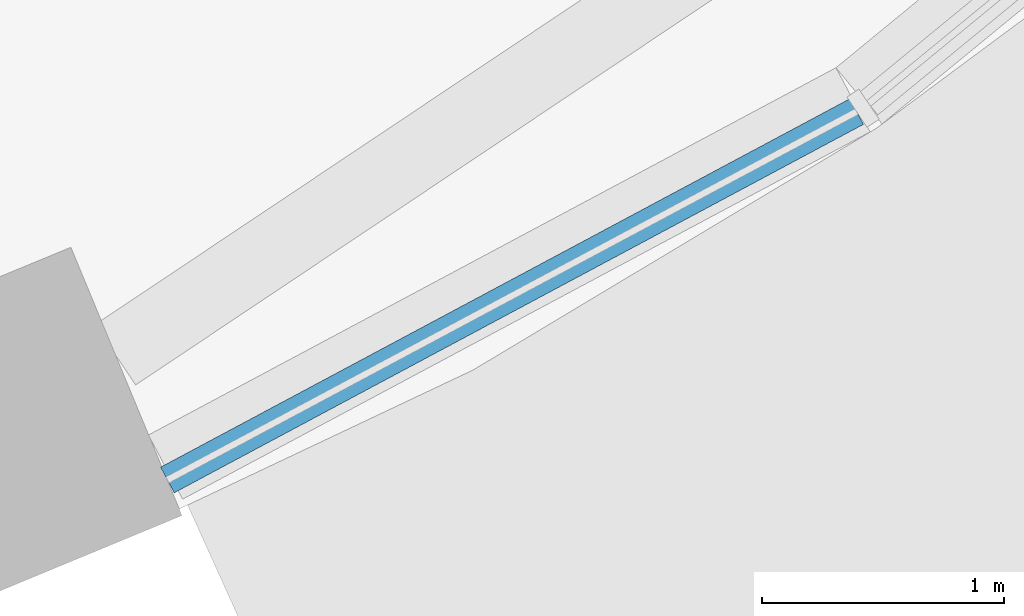
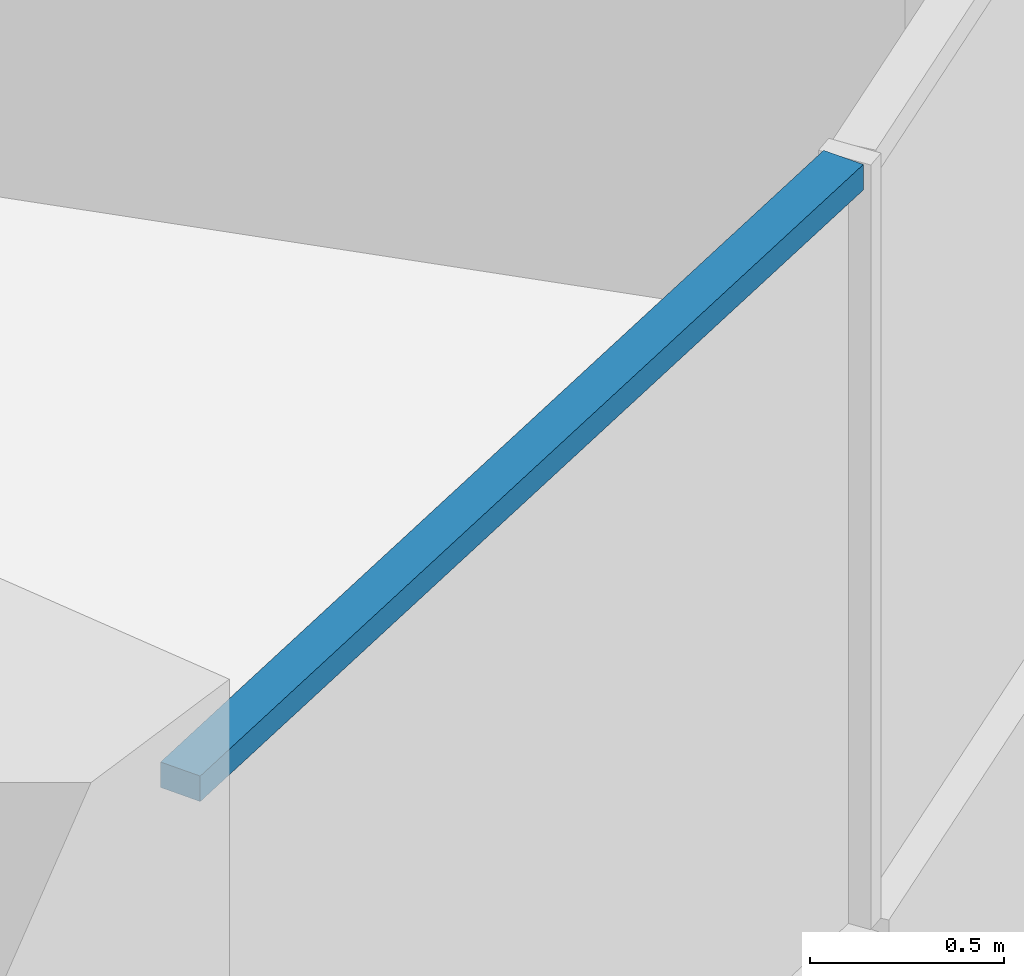
# One storey, part 3 of 15: 1 member, 1 element without a shape of its own.
"""IFC4 building model written with IfcOpenShell, lengths in metres."""

import ifcopenshell
import ifcopenshell.guid

model = None  # the IFC model being written
_history = None  # IfcOwnerHistory: only IFC2X3 demands one
_inside = {}  # id of a spatial element -> (the spatial element, [elements in it])
_under = {}  # id of a project, library or spatial element -> (it, [spatial elements below it])
_declared = {}  # id of a project -> (the project, [libraries it declares])
_typed = {}  # id of a type object -> (the type object, [elements of that type])
_made_of = {}  # id of a material, layer set ... -> (it, [elements and type objects made of it])


def new_model(schema):
    """Start an empty IFC model of exactly this schema.

    Asked for "IFC4X3", IfcOpenShell would pick the latest addendum, in which some entities
    have other attributes; the version numbers below select the first issue.
    IFC2X3 requires an IfcOwnerHistory on every rooted entity: one is made here for all.
    """
    global model, _history
    if schema == "IFC4X3":
        model = ifcopenshell.file(schema_version=(4, 3, 0, 0))
    else:
        model = ifcopenshell.file(schema=schema)
    _inside.clear()
    _under.clear()
    _declared.clear()
    _typed.clear()
    _made_of.clear()
    _history = None
    if model.schema == "IFC2X3":
        org = make("IfcOrganization", Name="unknown")
        user = make(
            "IfcPersonAndOrganization",
            ThePerson=make("IfcPerson", FamilyName="unknown"),
            TheOrganization=org,
        )
        app = make(
            "IfcApplication",
            ApplicationDeveloper=org,
            Version="unknown",
            ApplicationFullName="unknown",
            ApplicationIdentifier="unknown",
        )
        _history = make(
            "IfcOwnerHistory",
            OwningUser=user,
            OwningApplication=app,
            ChangeAction="ADDED",
            CreationDate=0,
        )
    return model


def make(cls, **values):
    """One entity of the class cls with the attributes given. An attribute that is None is left unset."""
    return model.create_entity(
        cls, **{name: value for name, value in values.items() if value is not None}
    )


def rooted(cls, **values):
    """An entity with a GlobalId (a new one), such as an element, a storey or a relation."""
    return make(cls, GlobalId=ifcopenshell.guid.new(), OwnerHistory=_history, **values)


def si_unit(unit_type, name, prefix=None):
    """IfcSIUnit, for example si_unit("LENGTHUNIT", "METRE", prefix="MILLI")."""
    return make("IfcSIUnit", UnitType=unit_type, Prefix=prefix, Name=name)


def assignment(units):
    """IfcUnitAssignment: the units of a project."""
    return None if units is None else make("IfcUnitAssignment", Units=units)


def point(xyz):
    """IfcCartesianPoint."""
    return None if xyz is None else make("IfcCartesianPoint", Coordinates=xyz)


def direction(xyz):
    """IfcDirection."""
    return None if xyz is None else make("IfcDirection", DirectionRatios=xyz)


def frame(location, z_axis=None, x_axis=None):
    """IfcAxis2Placement3D, a coordinate frame: its origin and axes. An axis left out is left unset."""
    return make(
        "IfcAxis2Placement3D",
        Location=point(location),
        Axis=direction(z_axis),
        RefDirection=direction(x_axis),
    )


def frame_2d(location, x_axis=None):
    """IfcAxis2Placement2D, a coordinate frame in the plane: its origin and x axis."""
    return make(
        "IfcAxis2Placement2D", Location=point(location), RefDirection=direction(x_axis)
    )


def origin():
    """The frame at (0, 0, 0) with its axes left unset."""
    return frame((0.0, 0.0, 0.0))


def origin_2d():
    """The frame at (0, 0) in the plane with its x axis left unset."""
    return frame_2d((0.0, 0.0))


def place(relative_to, where):
    """IfcLocalPlacement: puts the frame where relative to a parent placement (None: the world)."""
    return make(
        "IfcLocalPlacement", PlacementRelTo=relative_to, RelativePlacement=where
    )


def context(
    kind, dimensions, precision=None, world=None, true_north=None, identifier=None
):
    """IfcGeometricRepresentationContext, for example the 3D "Model" context."""
    return make(
        "IfcGeometricRepresentationContext",
        ContextIdentifier=identifier,
        ContextType=kind,
        CoordinateSpaceDimension=dimensions,
        Precision=precision,
        WorldCoordinateSystem=world,
        TrueNorth=true_north,
    )


def subcontext(parent, identifier, kind, view, scale=None):
    """IfcGeometricRepresentationSubContext, for example "Body" below "Model"."""
    return make(
        "IfcGeometricRepresentationSubContext",
        ContextIdentifier=identifier,
        ContextType=kind,
        ParentContext=parent,
        TargetScale=scale,
        TargetView=view,
    )


def project(units=None, contexts=None):
    """IfcProject with its units and contexts."""
    return rooted(
        "IfcProject",
        Name="project",
        RepresentationContexts=contexts,
        UnitsInContext=assignment(units),
    )


def spatial(cls, under=None, at=None, **own):
    """A site, building, storey or space (cls), placed at a placement, below another one or the project."""
    s = rooted(cls, ObjectPlacement=at, **own)
    if under is not None:
        _under.setdefault(under.id(), (under, []))[1].append(s)
    return s


def profile(cls, at=None, kind="AREA", **sizes):
    """A parametric profile (cls). Its sizes go by their IFC names, for example OverallWidth=200.0."""
    return make(cls, ProfileType=kind, Position=at, **sizes)


def rectangle(**sizes):
    """IfcRectangleProfileDef."""
    return profile("IfcRectangleProfileDef", **sizes)


def extrude(swept, where, along, depth):
    """IfcExtrudedAreaSolid: the profile swept, set in the frame where, extruded along a direction by depth."""
    return make(
        "IfcExtrudedAreaSolid",
        SweptArea=swept,
        Position=where,
        ExtrudedDirection=direction(along),
        Depth=depth,
    )


def shape(context_of_items, identifier, shape_type, items):
    """IfcShapeRepresentation: the items that make up one representation, for example the "Body"."""
    return make(
        "IfcShapeRepresentation",
        ContextOfItems=context_of_items,
        RepresentationIdentifier=identifier,
        RepresentationType=shape_type,
        Items=items,
    )


def material(Name=None, Category=None):
    """IfcMaterial."""
    return make("IfcMaterial", Name=Name, Category=Category)


def material_profile(
    of_material, cross_section, Name=None, Category=None, Priority=None
):
    """IfcMaterialProfile: a cross section and its material."""
    return make(
        "IfcMaterialProfile",
        Name=Name,
        Material=of_material,
        Profile=cross_section,
        Priority=Priority,
        Category=Category,
    )


def profile_set(profiles, Name=None, composite=None):
    """IfcMaterialProfileSet."""
    return make(
        "IfcMaterialProfileSet",
        Name=Name,
        MaterialProfiles=profiles,
        CompositeProfile=composite,
    )


def made_of(thing, what):
    """Note that an element or type object is made of a material, layer set ...; save() writes the relation."""
    if what is not None:
        _made_of.setdefault(what.id(), (what, []))[1].append(thing)
    return thing


def type_object(cls, material=None, **own):
    """A type object (cls), such as IfcWallType, which elements share."""
    return made_of(rooted(cls, **own), material)


def element(
    cls,
    number,
    at=None,
    inside=None,
    cuts=None,
    type_object=None,
    material=None,
    context=None,
    identifier="Body",
    shape_type=None,
    held_by="IfcProductDefinitionShape",
    body=None,
    shapes=None,
    **own,
):
    """One element of the class cls, such as IfcWall. Its Tag is "e" and its number.

    at: its placement. inside: the storey or other place that contains it. cuts: it is an
    opening in that element (IfcRelVoidsElement). A single representation is given by context,
    identifier, shape_type and body (its items); several are given by shapes. held_by: the class
    of the entity that holds the representations. save() writes the other relations.
    """
    e = rooted(cls, Tag="e%d" % number, ObjectPlacement=at, **own)
    if body is not None:
        shapes = [shape(context, identifier, shape_type, body)]
    if shapes is not None:
        e.Representation = make(held_by, Representations=shapes)
    if inside is not None:
        _inside.setdefault(inside.id(), (inside, []))[1].append(e)
    if cuts is not None:
        rooted(
            "IfcRelVoidsElement", RelatingBuildingElement=cuts, RelatedOpeningElement=e
        )
    if type_object is not None:
        _typed.setdefault(type_object.id(), (type_object, []))[1].append(e)
    return made_of(e, material)


def aggregate(whole, parts):
    """IfcRelAggregates: a whole, such as a stair, and the parts it consists of."""
    return rooted("IfcRelAggregates", RelatingObject=whole, RelatedObjects=parts)


def save(model, path):
    """Write the relations noted so far, then the file.

    IfcRelAggregates (storeys below a building ...), IfcRelContainedInSpatialStructure (elements
    in a storey), IfcRelDefinesByType, IfcRelAssociatesMaterial and IfcRelDeclares: one each for
    every whole, place, type object, material and project.
    """
    for whole, parts in _under.values():
        aggregate(whole, parts)
    for where, things in _inside.values():
        rooted(
            "IfcRelContainedInSpatialStructure",
            RelatedElements=things,
            RelatingStructure=where,
        )
    for kind, things in _typed.values():
        rooted("IfcRelDefinesByType", RelatedObjects=things, RelatingType=kind)
    for what, things in _made_of.values():
        rooted("IfcRelAssociatesMaterial", RelatedObjects=things, RelatingMaterial=what)
    for by, libraries in _declared.values():
        rooted("IfcRelDeclares", RelatingContext=by, RelatedDefinitions=libraries)
    model.write(path)


model = new_model("IFC4")

# Units and contexts
model_context = context("Model", 3, precision=1e-05, world=origin(), true_north=direction((0.0, 1.0)))
body_context = subcontext(model_context, "Body", "Model", "MODEL_VIEW")
ifc_project = project(units=[si_unit("LENGTHUNIT", "METRE"), si_unit("AREAUNIT", "SQUARE_METRE"), si_unit("VOLUMEUNIT", "CUBIC_METRE"), si_unit("PLANEANGLEUNIT", "RADIAN"), si_unit("MASSUNIT", "GRAM", prefix="KILO")], contexts=[model_context])

# Site, building, storey
site_placement = place(None, origin())
site = spatial("IfcSite", under=ifc_project, at=site_placement, CompositionType="ELEMENT")
building_placement = place(site_placement, origin())
building = spatial("IfcBuilding", under=site, at=building_placement, Name="Polderwave Tower", CompositionType="ELEMENT")
storey_placement = place(building_placement, frame((0.0, 0.0, 26.199951171875)))
storey = spatial("IfcBuildingStorey", under=building, at=storey_placement, Name="L06", CompositionType="ELEMENT", Elevation=26.199951171875)

# Curtain wall, member
ifc_material_1 = material(Name="Aluminium 6063-T6 and glass", Category="aluminium")
curtain_wall_type = type_object("IfcCurtainWallType", Name="Growing floor ribbon glazing wall", PredefinedType="NOTDEFINED", material=ifc_material_1)
curtain_wall_placement = place(storey_placement, origin())
curtain_wall = element("IfcCurtainWall", 1, at=curtain_wall_placement, inside=storey, type_object=curtain_wall_type, Name="CW2 L06 13", PredefinedType="NOTDEFINED")
ifc_material_2 = material(Name="Aluminium 6063-T6", Category="aluminium")
ifc_material_profile = material_profile(ifc_material_2, rectangle(XDim=0.1201171875, YDim=0.080078125, at=origin_2d()), Name="AL 80x120")
ifc_profile_set = profile_set([ifc_material_profile], Name="Aluminium 6063-T6")
member_type = type_object("IfcMemberType", Name="Growing floor ribbon glazing transom 80x120", PredefinedType="USERDEFINED", material=ifc_profile_set)
member_placement = place(storey_placement, frame((8.071044921875, -17.916015625, 3.260009765625), z_axis=(0.88192137056, 0.471396538118, 0.0), x_axis=(-0.471396538118, 0.88192137056, 0.0)))
member = element("IfcMember", 2, at=member_placement, type_object=member_type, Name="CW2 transom 1", ObjectType="TRANSOM", PredefinedType="USERDEFINED", context=body_context, shape_type="SweptSolid", body=[
    extrude(rectangle(XDim=0.1201171875, YDim=0.080078125, at=origin_2d()), origin(), (0.0, 0.0, 1.0), 3.228759765625),
])
aggregate(curtain_wall, [member])

save(model, "model.ifc")
